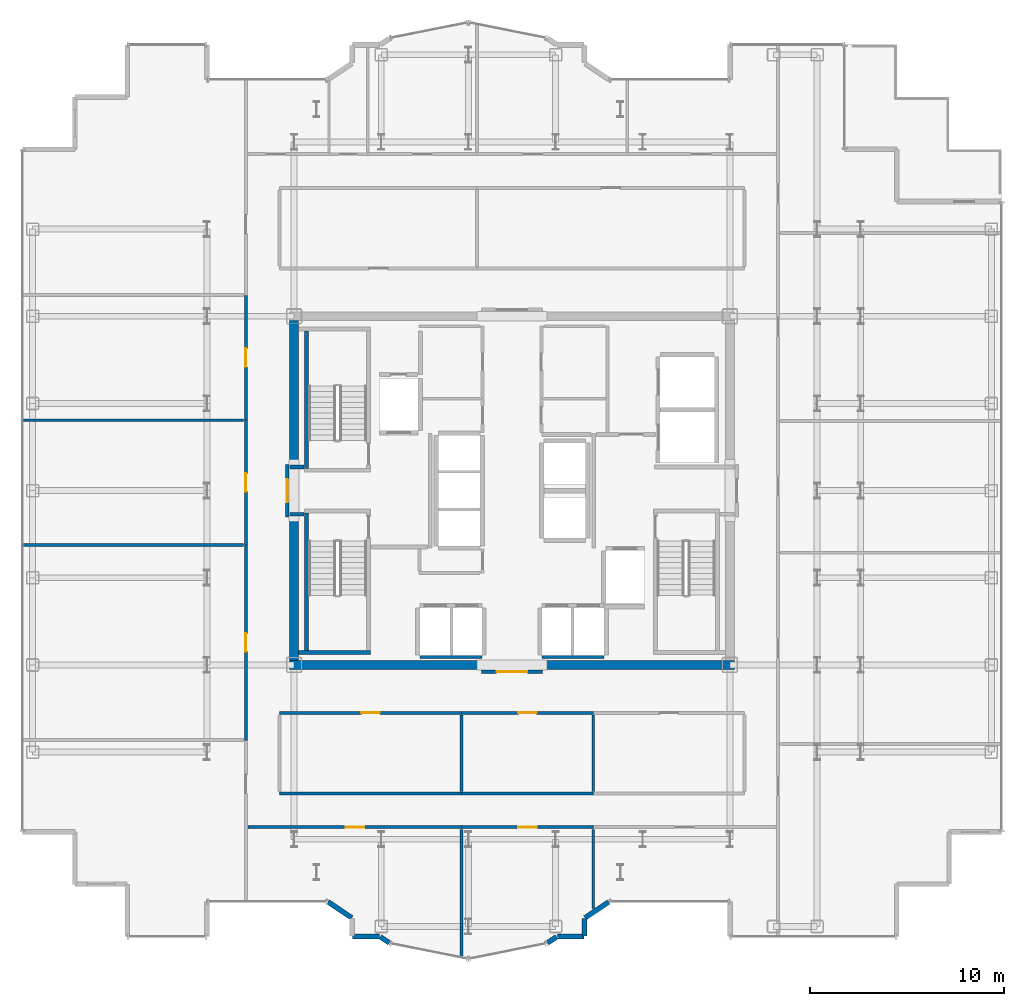
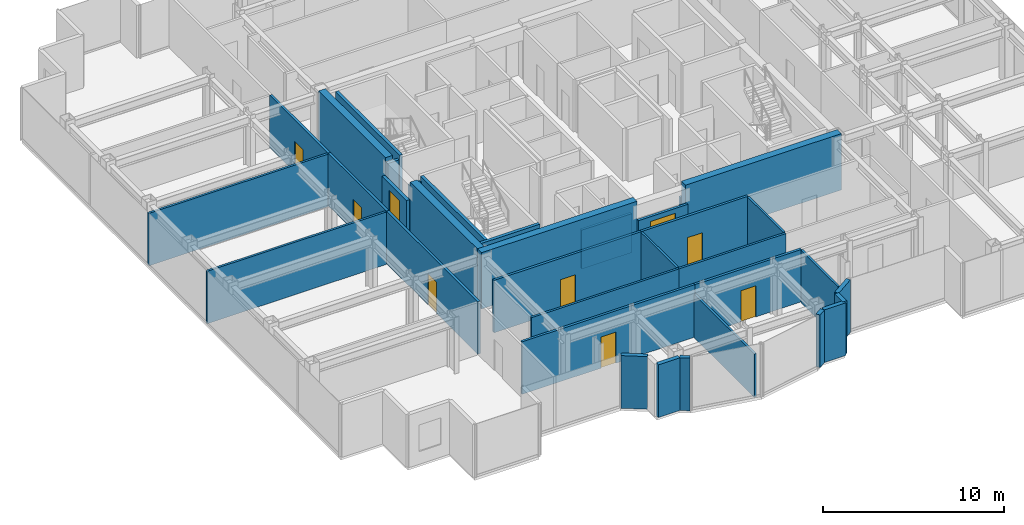
# One storey, part 14 of 20: 35 walls, 9 doors, 9 openings.
"""IFC4 building model written with IfcOpenShell, lengths in metres."""

from ifc_helpers import new_model, si_unit, direction, frame, frame_2d, origin, place, context, subcontext, project, spatial, rectangle, extrude, source, transform, mapped, material, layer, layer_set, type_object, element, fill, save


model = new_model("IFC4")

# Units and contexts
model_context = context("Model", 3, precision=1e-05, world=origin(), true_north=direction((0.0, 1.0)))
body_context = subcontext(model_context, "Body", "Model", "MODEL_VIEW")
ifc_project = project(units=[si_unit("LENGTHUNIT", "METRE"), si_unit("AREAUNIT", "SQUARE_METRE"), si_unit("VOLUMEUNIT", "CUBIC_METRE"), si_unit("PLANEANGLEUNIT", "RADIAN"), si_unit("MASSUNIT", "GRAM", prefix="KILO")], contexts=[model_context])

# Site, building, storey
site_placement = place(None, origin())
site = spatial("IfcSite", under=ifc_project, at=site_placement, CompositionType="ELEMENT")
building_placement = place(site_placement, origin())
building = spatial("IfcBuilding", under=site, at=building_placement, Name="Nefas-Gora Pilgrimage Tower", CompositionType="ELEMENT")
storey_placement = place(building_placement, frame((0.0, 0.0, 221.800048828125)))
storey = spatial("IfcBuildingStorey", under=building, at=storey_placement, Name="L55", CompositionType="ELEMENT", Elevation=221.800048828125)

# Walls
ifc_material_1 = material(Name="Concrete C50/60", Category="concrete")
ifc_layer_1 = layer(ifc_material_1, 0.449951171875)
ifc_layer_set_1 = layer_set([ifc_layer_1], Name="Concrete C50/60")
wall_type_1 = type_object("IfcWallType", Name="SW-CORE-450", PredefinedType="SHEAR", material=ifc_layer_set_1)
shared_shape_1 = source(origin(), body_context, "Body", "SweptSolid", [
    extrude(rectangle(XDim=9.925048828125, YDim=0.449951171875, at=frame_2d((4.96240234375, 0.0))), origin(), (0.0, 0.0, 1.0), 3.800048828125),
])
for number, where, z_axis, x_axis, name in (
    (1, (-11.47509765625, -9.0, 0.0), (0.0, 0.0, 1.0), (1.0, 0.0, 0.0), "L55 Core Shear Wall S-West"),
    (2, (1.550048828125, -9.0, 0.0), (0.0, 0.0, 1.0), (1.0, 0.0, 0.0), "L55 Core Shear Wall S-East"),
):
    element("IfcWall", number, at=place(storey_placement, frame(where, z_axis=z_axis, x_axis=x_axis)), inside=storey, type_object=wall_type_1, Name=name, PredefinedType="SHEAR", context=body_context, shape_type="MappedRepresentation", body=[
        mapped(shared_shape_1, transform((0.0, 0.0, 0.0), x_axis=(1.0, 0.0, 0.0), y_axis=(0.0, 1.0, 0.0), z_axis=(0.0, 0.0, 1.0), scale=1.0)),
    ])
shared_shape_2 = source(origin(), body_context, "Body", "SweptSolid", [
    extrude(rectangle(XDim=7.4248046875, YDim=0.449951171875, at=frame_2d((3.71240234375, 0.0))), origin(), (0.0, 0.0, 1.0), 3.800048828125),
])
for number, where, z_axis, x_axis, name in (
    (3, (-11.25, -8.77490234375, 0.0), (0.0, 0.0, 1.0), (0.0, 1.0, 0.0), "L55 Core Shear Wall W-South"),
    (4, (-11.25, 1.35009765625, 0.0), (0.0, 0.0, 1.0), (0.0, 1.0, 0.0), "L55 Core Shear Wall W-North"),
):
    element("IfcWall", number, at=place(storey_placement, frame(where, z_axis=z_axis, x_axis=x_axis)), inside=storey, type_object=wall_type_1, Name=name, PredefinedType="SHEAR", context=body_context, shape_type="MappedRepresentation", body=[
        mapped(shared_shape_2, transform((0.0, 0.0, 0.0), x_axis=(1.0, 0.0, 0.0), y_axis=(0.0, 1.0, 0.0), z_axis=(0.0, 0.0, 1.0), scale=1.0)),
    ])
ifc_material_2 = material(Name="Precast concrete C40/50", Category="concrete")
ifc_layer_2 = layer(ifc_material_2, 0.260009765625)
ifc_layer_set_2 = layer_set([ifc_layer_2], Name="Precast concrete C40/50")
wall_type_2 = type_object("IfcWallType", Name="EW-PORTAL-260", PredefinedType="SOLIDWALL", material=ifc_layer_set_2)
shared_shape_3 = source(origin(), body_context, "Body", "SweptSolid", [
    extrude(rectangle(XDim=1.468994140625, YDim=0.260009765625, at=frame_2d((0.734375, 0.0))), origin(), (0.0, 0.0, 1.0), 3.550048828125),
])
for number, where, z_axis, x_axis, name in (
    (5, (-9.49462890625, -21.235595703125, 0.0), (0.0, 0.0, 1.0), (0.831461760506, -0.555581983884, 0.0), "L55 Lobe Shoulder Precast Spandrel Pier 28"),
    (6, (3.773193359375, -22.0517578125, 0.0), (0.0, 0.0, 1.0), (0.831461760506, 0.555581983884, 0.0), "L55 Lobe Shoulder Precast Spandrel Pier 35"),
):
    element("IfcWall", number, at=place(storey_placement, frame(where, z_axis=z_axis, x_axis=x_axis)), inside=storey, type_object=wall_type_2, Name=name, PredefinedType="SOLIDWALL", context=body_context, shape_type="MappedRepresentation", body=[
        mapped(shared_shape_3, transform((0.0, 0.0, 0.0), x_axis=(1.0, 0.0, 0.0), y_axis=(0.0, 1.0, 0.0), z_axis=(0.0, 0.0, 1.0), scale=1.0)),
    ])
shared_shape_4 = source(origin(), body_context, "Body", "SweptSolid", [
    extrude(rectangle(XDim=0.896728515625, YDim=0.260009765625, at=frame_2d((0.4482421875, 0.0))), origin(), (0.0, 0.0, 1.0), 3.550048828125),
])
wall_1_placement = place(storey_placement, frame((3.75, -22.991943359375, 0.0), z_axis=(0.0, 0.0, 1.0), x_axis=(0.0, 1.0, 0.0)))
element("IfcWall", 7, at=wall_1_placement, inside=storey, type_object=wall_type_2, Name="L55 Lobe Shoulder Precast Spandrel Pier 34", PredefinedType="SOLIDWALL", context=body_context, shape_type="MappedRepresentation", body=[
    mapped(shared_shape_4, transform((0.0, 0.0, 0.0), x_axis=(1.0, 0.0, 0.0), y_axis=(0.0, 1.0, 0.0), z_axis=(0.0, 0.0, 1.0), scale=1.0)),
])
shared_shape_5 = source(origin(), body_context, "Body", "SweptSolid", [
    extrude(rectangle(XDim=1.369873046875, YDim=0.260009765625, at=frame_2d((0.68505859375, 0.0))), origin(), (0.0, 0.0, 1.0), 3.550048828125),
])
for number, where, z_axis, x_axis, name in (
    (8, (-8.221923828125, -23.02001953125, 0.0), (0.0, 0.0, 1.0), (1.0, 0.0, 0.0), "L55 Lobe Shoulder Precast Spandrel Pier 30"),
    (9, (2.35205078125, -23.02001953125, 0.0), (0.0, 0.0, 1.0), (1.0, 0.0, 0.0), "L55 Lobe Shoulder Precast Spandrel Pier 33"),
):
    element("IfcWall", number, at=place(storey_placement, frame(where, z_axis=z_axis, x_axis=x_axis)), inside=storey, type_object=wall_type_2, Name=name, PredefinedType="SOLIDWALL", context=body_context, shape_type="MappedRepresentation", body=[
        mapped(shared_shape_5, transform((0.0, 0.0, 0.0), x_axis=(1.0, 0.0, 0.0), y_axis=(0.0, 1.0, 0.0), z_axis=(0.0, 0.0, 1.0), scale=1.0)),
    ])
shared_shape_6 = source(origin(), body_context, "Body", "SweptSolid", [
    extrude(rectangle(XDim=0.5654296875, YDim=0.260009765625, at=frame_2d((0.28271484375, 0.0))), origin(), (0.0, 0.0, 1.0), 3.550048828125),
])
for number, where, z_axis, x_axis, name in (
    (10, (-6.80078125, -23.03564453125, 0.0), (0.0, 0.0, 1.0), (0.831651492666, -0.555297933317, 0.0), "L55 Lobe Shoulder Precast Spandrel Pier 31"),
    (11, (1.83056640625, -23.349609375, 0.0), (0.0, 0.0, 1.0), (0.831651492666, 0.555297933317, 0.0), "L55 Lobe Shoulder Precast Spandrel Pier 32"),
):
    element("IfcWall", number, at=place(storey_placement, frame(where, z_axis=z_axis, x_axis=x_axis)), inside=storey, type_object=wall_type_2, Name=name, PredefinedType="SOLIDWALL", context=body_context, shape_type="MappedRepresentation", body=[
        mapped(shared_shape_6, transform((0.0, 0.0, 0.0), x_axis=(1.0, 0.0, 0.0), y_axis=(0.0, 1.0, 0.0), z_axis=(0.0, 0.0, 1.0), scale=1.0)),
    ])
ifc_material_3 = material(Name="Concrete C45/55", Category="concrete")
ifc_layer_3 = layer(ifc_material_3, 0.199951171875)
ifc_layer_set_3 = layer_set([ifc_layer_3], Name="Concrete C45/55")
wall_type_3 = type_object("IfcWallType", Name="IW-STAIR-200", PredefinedType="SOLIDWALL", material=ifc_layer_set_3)
shared_shape_7 = source(origin(), body_context, "Body", "SweptSolid", [
    extrude(rectangle(XDim=7.10009765625, YDim=0.199951171875, at=frame_2d((3.550048828125, 0.0))), origin(), (0.0, 0.0, 1.0), 3.800048828125),
])
for number, where, z_axis, x_axis, name in (
    (12, (-10.60009765625, 1.14990234375, 0.0), (0.0, 0.0, 1.0), (0.0, 1.0, 0.0), "L55 Stairwell Shear Wall ST-01-right"),
    (13, (-10.60009765625, -1.14990234375, 0.0), (0.0, 0.0, 1.0), (0.0, -1.0, 0.0), "L55 Stairwell Shear Wall ST-03-left"),
):
    element("IfcWall", number, at=place(storey_placement, frame(where, z_axis=z_axis, x_axis=x_axis)), inside=storey, type_object=wall_type_3, Name=name, PredefinedType="SOLIDWALL", context=body_context, shape_type="MappedRepresentation", body=[
        mapped(shared_shape_7, transform((0.0, 0.0, 0.0), x_axis=(1.0, 0.0, 0.0), y_axis=(0.0, 1.0, 0.0), z_axis=(0.0, 0.0, 1.0), scale=1.0)),
    ])
shared_shape_8 = source(origin(), body_context, "Body", "SweptSolid", [
    extrude(rectangle(XDim=3.72998046875, YDim=0.199951171875, at=frame_2d((1.864990234375, 0.0))), origin(), (0.0, 0.0, 1.0), 3.800048828125),
])
wall_2_placement = place(storey_placement, frame((-11.030029296875, -8.35009765625, 0.0), z_axis=(0.0, 0.0, 1.0), x_axis=(1.0, 0.0, 0.0)))
element("IfcWall", 14, at=wall_2_placement, inside=storey, type_object=wall_type_3, Name="L55 Stairwell Shear Wall ST-03-far", PredefinedType="SOLIDWALL", context=body_context, shape_type="MappedRepresentation", body=[
    mapped(shared_shape_8, transform((0.0, 0.0, 0.0), x_axis=(1.0, 0.0, 0.0), y_axis=(0.0, 1.0, 0.0), z_axis=(0.0, 0.0, 1.0), scale=1.0)),
])
ifc_material_4 = material(Name="Gypsum acoustic stud partition")
ifc_layer_4 = layer(ifc_material_4, 0.159912109375)
ifc_layer_set_4 = layer_set([ifc_layer_4], Name="Gypsum acoustic stud partition")
wall_type_4 = type_object("IfcWallType", Name="IW-CORR-160", PredefinedType="PARTITIONING", material=ifc_layer_set_4)
shared_shape_9 = source(origin(), body_context, "Body", "SweptSolid", [
    extrude(rectangle(XDim=3.199951171875, YDim=0.159912109375, at=frame_2d((1.60009765625, 0.0))), origin(), (0.0, 0.0, 1.0), 2.625),
])
for number, where, z_axis, x_axis, name in (
    (15, (-4.75, -8.580078125, 0.0), (0.0, 0.0, 1.0), (1.0, 0.0, 0.0), "L55 Hoistway Wall PL2-W-S"),
    (16, (1.550048828125, -8.580078125, 0.0), (0.0, 0.0, 1.0), (1.0, 0.0, 0.0), "L55 Hoistway Wall PL2-E-S"),
):
    element("IfcWall", number, at=place(storey_placement, frame(where, z_axis=z_axis, x_axis=x_axis)), inside=storey, type_object=wall_type_4, Name=name, PredefinedType="PARTITIONING", context=body_context, shape_type="MappedRepresentation", body=[
        mapped(shared_shape_9, transform((0.0, 0.0, 0.0), x_axis=(1.0, 0.0, 0.0), y_axis=(0.0, 1.0, 0.0), z_axis=(0.0, 0.0, 1.0), scale=1.0)),
    ])
ifc_material_5 = material(Name="Gypsum fire-rated shaftwall")
ifc_layer_5 = layer(ifc_material_5, 0.199951171875)
ifc_layer_set_5 = layer_set([ifc_layer_5], Name="Gypsum fire-rated shaftwall")
wall_type_5 = type_object("IfcWallType", Name="IW-FFLOB-200", PredefinedType="PARTITIONING", material=ifc_layer_set_5)
shared_shape_10 = source(origin(), body_context, "Body", "SweptSolid", [
    extrude(rectangle(XDim=0.719970703125, YDim=0.199951171875, at=frame_2d((0.35986328125, 0.0))), origin(), (0.0, 0.0, 1.0), 3.534912109375),
])
for number, where, z_axis, x_axis, name in (
    (17, (-11.4599609375, 1.219970703125, 0.0), (0.0, 0.0, 1.0), (1.0, 0.0, 0.0), "L55 FF Lobby West Throat N Wall 7"),
    (18, (-11.4599609375, -1.219970703125, 0.0), (0.0, 0.0, 1.0), (1.0, 0.0, 0.0), "L55 FF Lobby West Throat S Wall 8"),
):
    element("IfcWall", number, at=place(storey_placement, frame(where, z_axis=z_axis, x_axis=x_axis)), inside=storey, type_object=wall_type_5, Name=name, PredefinedType="PARTITIONING", context=body_context, shape_type="MappedRepresentation", body=[
        mapped(shared_shape_10, transform((0.0, 0.0, 0.0), x_axis=(1.0, 0.0, 0.0), y_axis=(0.0, 1.0, 0.0), z_axis=(0.0, 0.0, 1.0), scale=1.0)),
    ])

# Wall, opening, door
shared_shape_11 = source(origin(), body_context, "Body", "SweptSolid", [
    extrude(rectangle(XDim=6.81005859375, YDim=0.159912109375, at=frame_2d((3.405029296875, 0.0))), origin(), (0.0, 0.0, 1.0), 3.534912109375),
])
wall_3_placement = place(storey_placement, frame((-2.60498046875, -17.3701171875, 0.0), z_axis=(0.0, 0.0, 1.0), x_axis=(1.0, 0.0, 0.0)))
wall_3 = element("IfcWall", 19, at=wall_3_placement, inside=storey, type_object=wall_type_4, Name="L55 Pilgrim Contemplative Lounge Partition Wall 69", PredefinedType="PARTITIONING", context=body_context, shape_type="MappedRepresentation", body=[
    mapped(shared_shape_11, transform((0.0, 0.0, 0.0), x_axis=(1.0, 0.0, 0.0), y_axis=(0.0, 1.0, 0.0), z_axis=(0.0, 0.0, 1.0), scale=1.0)),
])
opening_1_placement = place(wall_3_placement, frame((2.929931640625, 0.0, 0.0)))
opening_1 = element("IfcOpeningElement", 20, at=opening_1_placement, cuts=wall_3, Name="Opening ID-GR1", PredefinedType="OPENING", context=body_context, shape_type="SweptSolid", body=[
    extrude(rectangle(XDim=0.949951171875, YDim=2.10009765625, at=frame_2d((0.47509765625, 1.050048828125))), frame((0.0, 0.08984375, 0.0), z_axis=(0.0, -1.0, 0.0), x_axis=(1.0, 0.0, 0.0)), (0.0, 0.0, 1.0), 0.179931640625),
])
ifc_material_6 = material(Name="Solid core oak fire-rated guest entrance door")
door_type_1 = type_object("IfcDoorType", Name="DR-INT-GUEST-950", OperationType="NOTDEFINED", PredefinedType="DOOR", material=ifc_material_6)
shared_shape_12 = source(origin(), body_context, "Body", "SweptSolid", [
    extrude(rectangle(XDim=0.949951171875, YDim=2.10009765625, at=frame_2d((0.47509765625, 1.050048828125))), frame((0.0, 0.02490234375, 0.0), z_axis=(0.0, -1.0, 0.0), x_axis=(1.0, 0.0, 0.0)), (0.0, 0.0, 1.0), 0.050048828125),
])
door_1_placement = place(opening_1_placement, origin())
door_1 = element("IfcDoor", 21, at=door_1_placement, inside=storey, type_object=door_type_1, Name="L55 Pilgrim Contemplative Lounge Door 31", OperationType="SINGLE_SWING_LEFT", OverallHeight=2.10009765625, OverallWidth=0.949951171875, PredefinedType="DOOR", context=body_context, shape_type="MappedRepresentation", body=[
    mapped(shared_shape_12, transform((0.0, 0.0, 0.0), x_axis=(1.0, 0.0, 0.0), y_axis=(0.0, 1.0, 0.0), z_axis=(0.0, 0.0, 1.0), scale=1.0)),
])
fill(opening_1, door_1)

wall_4_placement = place(storey_placement, frame((-2.60498046875, -11.469970703125, 0.0), z_axis=(0.0, 0.0, 1.0), x_axis=(1.0, 0.0, 0.0)))
wall_4 = element("IfcWall", 22, at=wall_4_placement, inside=storey, type_object=wall_type_4, Name="L55 Pilgrim Contemplative Lounge Partition Wall 71", PredefinedType="PARTITIONING", context=body_context, shape_type="MappedRepresentation", body=[
    mapped(shared_shape_11, transform((0.0, 0.0, 0.0), x_axis=(1.0, 0.0, 0.0), y_axis=(0.0, 1.0, 0.0), z_axis=(0.0, 0.0, 1.0), scale=1.0)),
])
opening_2_placement = place(wall_4_placement, frame((2.929931640625, 0.0, 0.0)))
opening_2 = element("IfcOpeningElement", 23, at=opening_2_placement, cuts=wall_4, Name="Opening ID-GR1", PredefinedType="OPENING", context=body_context, shape_type="SweptSolid", body=[
    extrude(rectangle(XDim=0.949951171875, YDim=2.10009765625, at=frame_2d((0.47509765625, 1.050048828125))), frame((0.0, 0.08984375, 0.0), z_axis=(0.0, -1.0, 0.0), x_axis=(1.0, 0.0, 0.0)), (0.0, 0.0, 1.0), 0.179931640625),
])
door_2_placement = place(opening_2_placement, origin())
door_2 = element("IfcDoor", 24, at=door_2_placement, inside=storey, type_object=door_type_1, Name="L55 Pilgrim Contemplative Lounge Door 32", OperationType="SINGLE_SWING_RIGHT", OverallHeight=2.10009765625, OverallWidth=0.949951171875, PredefinedType="DOOR", context=body_context, shape_type="MappedRepresentation", body=[
    mapped(shared_shape_12, transform((0.0, 0.0, 0.0), x_axis=(1.0, 0.0, 0.0), y_axis=(0.0, 1.0, 0.0), z_axis=(0.0, 0.0, 1.0), scale=1.0)),
])
fill(opening_2, door_2)

# Walls
ifc_material_7 = material(Name="Gypsum twin-stud partition")
ifc_layer_6 = layer(ifc_material_7, 0.139892578125)
ifc_layer_set_6 = layer_set([ifc_layer_6], Name="Gypsum twin-stud partition")
wall_type_6 = type_object("IfcWallType", Name="IW-UNIT-140", PredefinedType="PARTITIONING", material=ifc_layer_set_6)
shared_shape_13 = source(origin(), body_context, "Body", "SweptSolid", [
    extrude(rectangle(XDim=11.429931640625, YDim=0.139892578125, at=frame_2d((5.71484375, 0.0))), origin(), (0.0, 0.0, 1.0), 3.534912109375),
])
for number, where, z_axis, x_axis, name in (
    (25, (-25.2900390625, -2.804931640625, 0.0), (0.0, 0.0, 1.0), (1.0, 0.0, 0.0), "L55 Pilgrim Floor Concierge Foyer Partition Wall 34"),
    (26, (-25.2900390625, 3.63134765625, 0.0), (0.0, 0.0, 1.0), (1.0, 0.0, 0.0), "L55 Pilgrim Tea and Beverage Pantry Partition Wall 39"),
):
    element("IfcWall", number, at=place(storey_placement, frame(where, z_axis=z_axis, x_axis=x_axis)), inside=storey, type_object=wall_type_6, Name=name, PredefinedType="PARTITIONING", context=body_context, shape_type="MappedRepresentation", body=[
        mapped(shared_shape_13, transform((0.0, 0.0, 0.0), x_axis=(1.0, 0.0, 0.0), y_axis=(0.0, 1.0, 0.0), z_axis=(0.0, 0.0, 1.0), scale=1.0)),
    ])
shared_shape_14 = source(origin(), body_context, "Body", "SweptSolid", [
    extrude(rectangle(XDim=3.929931640625, YDim=0.139892578125, at=frame_2d((1.96484375, 0.0))), origin(), (0.0, 0.0, 1.0), 3.534912109375),
])
for number, where, z_axis, x_axis, name in (
    (27, (-2.60498046875, -15.52001953125, 0.0), (0.0, 0.0, 1.0), (0.0, 1.0, 0.0), "L55 Scripture Reading Study Partition Wall 68"),
    (28, (4.195068359375, -15.52001953125, 0.0), (0.0, 0.0, 1.0), (0.0, 1.0, 0.0), "L55 Pilgrim Contemplative Lounge Partition Wall 73"),
):
    element("IfcWall", number, at=place(storey_placement, frame(where, z_axis=z_axis, x_axis=x_axis)), inside=storey, type_object=wall_type_6, Name=name, PredefinedType="PARTITIONING", context=body_context, shape_type="MappedRepresentation", body=[
        mapped(shared_shape_14, transform((0.0, 0.0, 0.0), x_axis=(1.0, 0.0, 0.0), y_axis=(0.0, 1.0, 0.0), z_axis=(0.0, 0.0, 1.0), scale=1.0)),
    ])

# Wall, opening, door
shared_shape_15 = source(origin(), body_context, "Body", "SweptSolid", [
    extrude(rectangle(XDim=2.7001953125, YDim=0.199951171875, at=frame_2d((1.35009765625, 0.0))), origin(), (0.0, 0.0, 1.0), 2.625),
])
wall_5_placement = place(storey_placement, frame((-11.60009765625, -1.35009765625, 0.0), z_axis=(0.0, 0.0, 1.0), x_axis=(0.0, 1.0, 0.0)))
wall_5 = element("IfcWall", 29, at=wall_5_placement, inside=storey, type_object=wall_type_5, Name="L55 FF Lobby West Portal Wall 4", PredefinedType="PARTITIONING", context=body_context, shape_type="MappedRepresentation", body=[
    mapped(shared_shape_15, transform((0.0, 0.0, 0.0), x_axis=(1.0, 0.0, 0.0), y_axis=(0.0, 1.0, 0.0), z_axis=(0.0, 0.0, 1.0), scale=1.0)),
])
opening_3_placement = place(wall_5_placement, frame((0.75, 0.0, 0.0)))
opening_3 = element("IfcOpeningElement", 30, at=opening_3_placement, cuts=wall_5, Name="Opening ID-FF1", PredefinedType="OPENING", context=body_context, shape_type="SweptSolid", body=[
    extrude(rectangle(XDim=1.199951171875, YDim=2.14990234375, at=frame_2d((0.60009765625, 1.074951171875))), frame((0.0, 0.10986328125, 0.0), z_axis=(0.0, -1.0, 0.0), x_axis=(1.0, 0.0, 0.0)), (0.0, 0.0, 1.0), 0.219970703125),
])
ifc_material_8 = material(Name="Smoke-sealed steel firefighting lobby door", Category="steel")
door_type_2 = type_object("IfcDoorType", Name="DR-INT-FFLOB-1200", OperationType="NOTDEFINED", PredefinedType="DOOR", material=ifc_material_8)
shared_shape_16 = source(origin(), body_context, "Body", "SweptSolid", [
    extrude(rectangle(XDim=1.199951171875, YDim=2.14990234375, at=frame_2d((0.60009765625, 1.074951171875))), frame((0.0, 0.02490234375, 0.0), z_axis=(0.0, -1.0, 0.0), x_axis=(1.0, 0.0, 0.0)), (0.0, 0.0, 1.0), 0.050048828125),
])
door_3_placement = place(opening_3_placement, origin())
door_3 = element("IfcDoor", 31, at=door_3_placement, inside=storey, type_object=door_type_2, Name="L55 FF Lobby West Portal Door 2", OperationType="SINGLE_SWING_RIGHT", OverallHeight=2.14990234375, OverallWidth=1.199951171875, PredefinedType="DOOR", context=body_context, shape_type="MappedRepresentation", body=[
    mapped(shared_shape_16, transform((0.0, 0.0, 0.0), x_axis=(1.0, 0.0, 0.0), y_axis=(0.0, 1.0, 0.0), z_axis=(0.0, 0.0, 1.0), scale=1.0)),
])
fill(opening_3, door_3)

shared_shape_17 = source(origin(), body_context, "Body", "SweptSolid", [
    extrude(rectangle(XDim=3.16015625, YDim=0.159912109375, at=frame_2d((1.580078125, 0.0))), origin(), (0.0, 0.0, 1.0), 2.625),
])
wall_6_placement = place(storey_placement, frame((-1.580078125, -9.35009765625, 0.0), z_axis=(0.0, 0.0, 1.0), x_axis=(1.0, 0.0, 0.0)))
wall_6 = element("IfcWall", 32, at=wall_6_placement, inside=storey, type_object=wall_type_4, Name="L55 Central Lift Lobby South Portal Wall 16", PredefinedType="PARTITIONING", context=body_context, shape_type="MappedRepresentation", body=[
    mapped(shared_shape_17, transform((0.0, 0.0, 0.0), x_axis=(1.0, 0.0, 0.0), y_axis=(0.0, 1.0, 0.0), z_axis=(0.0, 0.0, 1.0), scale=1.0)),
])
opening_4_placement = place(wall_6_placement, frame((0.780029296875, 0.0, 0.0)))
opening_4 = element("IfcOpeningElement", 33, at=opening_4_placement, cuts=wall_6, Name="Opening ID-HL1", PredefinedType="OPENING", context=body_context, shape_type="SweptSolid", body=[
    extrude(rectangle(XDim=1.60009765625, YDim=2.300048828125, at=frame_2d((0.800048828125, 1.14990234375))), frame((0.0, 0.08984375, 0.0), z_axis=(0.0, -1.0, 0.0), x_axis=(1.0, 0.0, 0.0)), (0.0, 0.0, 1.0), 0.179931640625),
])
ifc_material_9 = material(Name="Double acoustic timber assembly hall door", Category="wood")
door_type_3 = type_object("IfcDoorType", Name="DR-INT-HALL-1600", OperationType="DOUBLE_DOOR_SINGLE_SWING", PredefinedType="DOOR", material=ifc_material_9)
shared_shape_18 = source(origin(), body_context, "Body", "SweptSolid", [
    extrude(rectangle(XDim=1.60009765625, YDim=2.300048828125, at=frame_2d((0.800048828125, 1.14990234375))), frame((0.0, 0.02490234375, 0.0), z_axis=(0.0, -1.0, 0.0), x_axis=(1.0, 0.0, 0.0)), (0.0, 0.0, 1.0), 0.050048828125),
])
door_4_placement = place(opening_4_placement, origin())
door_4 = element("IfcDoor", 34, at=door_4_placement, inside=storey, type_object=door_type_3, Name="L55 Central Lift Lobby South Portal Door 6", OperationType="DOUBLE_DOOR_SINGLE_SWING", OverallHeight=2.300048828125, OverallWidth=1.60009765625, PredefinedType="DOOR", context=body_context, shape_type="MappedRepresentation", body=[
    mapped(shared_shape_18, transform((0.0, 0.0, 0.0), x_axis=(1.0, 0.0, 0.0), y_axis=(0.0, 1.0, 0.0), z_axis=(0.0, 0.0, 1.0), scale=1.0)),
])
fill(opening_4, door_4)

shared_shape_19 = source(origin(), body_context, "Body", "SweptSolid", [
    extrude(rectangle(XDim=10.092529296875, YDim=0.159912109375, at=frame_2d((5.04638671875, 0.0))), origin(), (0.0, 0.0, 1.0), 3.534912109375),
])
wall_7_placement = place(storey_placement, frame((-13.739990234375, -12.887451171875, 0.0), z_axis=(0.0, 0.0, 1.0), x_axis=(0.0, 1.0, 0.0)))
wall_7 = element("IfcWall", 35, at=wall_7_placement, inside=storey, type_object=wall_type_4, Name="L55 Pilgrim Floor Concierge Foyer Partition Wall 32", PredefinedType="PARTITIONING", context=body_context, shape_type="MappedRepresentation", body=[
    mapped(shared_shape_19, transform((0.0, 0.0, 0.0), x_axis=(1.0, 0.0, 0.0), y_axis=(0.0, 1.0, 0.0), z_axis=(0.0, 0.0, 1.0), scale=1.0)),
])
opening_5_placement = place(wall_7_placement, frame((4.5712890625, 0.0, 0.0)))
opening_5 = element("IfcOpeningElement", 36, at=opening_5_placement, cuts=wall_7, Name="Opening ID-GR1", PredefinedType="OPENING", context=body_context, shape_type="SweptSolid", body=[
    extrude(rectangle(XDim=0.949951171875, YDim=2.10009765625, at=frame_2d((0.47509765625, 1.050048828125))), frame((0.0, 0.08984375, 0.0), z_axis=(0.0, -1.0, 0.0), x_axis=(1.0, 0.0, 0.0)), (0.0, 0.0, 1.0), 0.179931640625),
])
door_5_placement = place(opening_5_placement, origin())
door_5 = element("IfcDoor", 37, at=door_5_placement, inside=storey, type_object=door_type_1, Name="L55 Pilgrim Floor Concierge Foyer Door 13", OperationType="SINGLE_SWING_LEFT", OverallHeight=2.10009765625, OverallWidth=0.949951171875, PredefinedType="DOOR", context=body_context, shape_type="MappedRepresentation", body=[
    mapped(shared_shape_12, transform((0.0, 0.0, 0.0), x_axis=(1.0, 0.0, 0.0), y_axis=(0.0, 1.0, 0.0), z_axis=(0.0, 0.0, 1.0), scale=1.0)),
])
fill(opening_5, door_5)

shared_shape_20 = source(origin(), body_context, "Body", "SweptSolid", [
    extrude(rectangle(XDim=6.4462890625, YDim=0.159912109375, at=frame_2d((3.22314453125, 0.0))), origin(), (0.0, 0.0, 1.0), 3.534912109375),
])
wall_8_placement = place(storey_placement, frame((-13.739990234375, -2.804931640625, 0.0), z_axis=(0.0, 0.0, 1.0), x_axis=(0.0, 1.0, 0.0)))
wall_8 = element("IfcWall", 38, at=wall_8_placement, inside=storey, type_object=wall_type_4, Name="L55 Pilgrim Tea and Beverage Pantry Partition Wall 38", PredefinedType="PARTITIONING", context=body_context, shape_type="MappedRepresentation", body=[
    mapped(shared_shape_20, transform((0.0, 0.0, 0.0), x_axis=(1.0, 0.0, 0.0), y_axis=(0.0, 1.0, 0.0), z_axis=(0.0, 0.0, 1.0), scale=1.0)),
])
opening_6_placement = place(wall_8_placement, frame((2.748291015625, 0.0, 0.0)))
opening_6 = element("IfcOpeningElement", 39, at=opening_6_placement, cuts=wall_8, Name="Opening ID-GR1", PredefinedType="OPENING", context=body_context, shape_type="SweptSolid", body=[
    extrude(rectangle(XDim=0.949951171875, YDim=2.10009765625, at=frame_2d((0.47509765625, 1.050048828125))), frame((0.0, 0.08984375, 0.0), z_axis=(0.0, -1.0, 0.0), x_axis=(1.0, 0.0, 0.0)), (0.0, 0.0, 1.0), 0.179931640625),
])
door_6_placement = place(opening_6_placement, origin())
door_6 = element("IfcDoor", 40, at=door_6_placement, inside=storey, type_object=door_type_1, Name="L55 Pilgrim Tea and Beverage Pantry Door 16", OperationType="SINGLE_SWING_RIGHT", OverallHeight=2.10009765625, OverallWidth=0.949951171875, PredefinedType="DOOR", context=body_context, shape_type="MappedRepresentation", body=[
    mapped(shared_shape_12, transform((0.0, 0.0, 0.0), x_axis=(1.0, 0.0, 0.0), y_axis=(0.0, 1.0, 0.0), z_axis=(0.0, 0.0, 1.0), scale=1.0)),
])
fill(opening_6, door_6)

shared_shape_21 = source(origin(), body_context, "Body", "SweptSolid", [
    extrude(rectangle(XDim=6.446044921875, YDim=0.159912109375, at=frame_2d((3.22314453125, 0.0))), origin(), (0.0, 0.0, 1.0), 3.534912109375),
])
wall_9_placement = place(storey_placement, frame((-13.739990234375, 3.641357421875, 0.0), z_axis=(0.0, 0.0, 1.0), x_axis=(0.0, 1.0, 0.0)))
wall_9 = element("IfcWall", 41, at=wall_9_placement, inside=storey, type_object=wall_type_4, Name="L55 Pilgrim Fellowship Seminar Room Partition Wall 40", PredefinedType="PARTITIONING", context=body_context, shape_type="MappedRepresentation", body=[
    mapped(shared_shape_21, transform((0.0, 0.0, 0.0), x_axis=(1.0, 0.0, 0.0), y_axis=(0.0, 1.0, 0.0), z_axis=(0.0, 0.0, 1.0), scale=1.0)),
])
opening_7_placement = place(wall_9_placement, frame((2.748046875, 0.0, 0.0)))
opening_7 = element("IfcOpeningElement", 42, at=opening_7_placement, cuts=wall_9, Name="Opening ID-GR1", PredefinedType="OPENING", context=body_context, shape_type="SweptSolid", body=[
    extrude(rectangle(XDim=0.949951171875, YDim=2.10009765625, at=frame_2d((0.47509765625, 1.050048828125))), frame((0.0, 0.08984375, 0.0), z_axis=(0.0, -1.0, 0.0), x_axis=(1.0, 0.0, 0.0)), (0.0, 0.0, 1.0), 0.179931640625),
])
door_7_placement = place(opening_7_placement, origin())
door_7 = element("IfcDoor", 43, at=door_7_placement, inside=storey, type_object=door_type_1, Name="L55 Pilgrim Fellowship Seminar Room Door 17", OperationType="SINGLE_SWING_LEFT", OverallHeight=2.10009765625, OverallWidth=0.949951171875, PredefinedType="DOOR", context=body_context, shape_type="MappedRepresentation", body=[
    mapped(shared_shape_12, transform((0.0, 0.0, 0.0), x_axis=(1.0, 0.0, 0.0), y_axis=(0.0, 1.0, 0.0), z_axis=(0.0, 0.0, 1.0), scale=1.0)),
])
fill(opening_7, door_7)

# Wall
shared_shape_22 = source(origin(), body_context, "Body", "SweptSolid", [
    extrude(rectangle(XDim=4.077880859375, YDim=0.139892578125, at=frame_2d((2.0390625, 0.0))), origin(), (0.0, 0.0, 1.0), 3.534912109375),
])
wall_10_placement = place(storey_placement, frame((4.195068359375, -21.56787109375, 0.0), z_axis=(0.0, 0.0, 1.0), x_axis=(0.0, 1.0, 0.0)))
element("IfcWall", 44, at=wall_10_placement, inside=storey, type_object=wall_type_6, Name="L55 Pilgrim Contemplative Lounge Partition Wall 70", PredefinedType="PARTITIONING", context=body_context, shape_type="MappedRepresentation", body=[
    mapped(shared_shape_22, transform((0.0, 0.0, 0.0), x_axis=(1.0, 0.0, 0.0), y_axis=(0.0, 1.0, 0.0), z_axis=(0.0, 0.0, 1.0), scale=1.0)),
])

# Wall, opening, door
shared_shape_23 = source(origin(), body_context, "Body", "SweptSolid", [
    extrude(rectangle(XDim=11.025146484375, YDim=0.159912109375, at=frame_2d((5.5126953125, 0.0))), origin(), (0.0, 0.0, 1.0), 3.534912109375),
])
wall_11_placement = place(storey_placement, frame((-13.6201171875, -17.3701171875, 0.0), z_axis=(0.0, 0.0, 1.0), x_axis=(1.0, 0.0, 0.0)))
wall_11 = element("IfcWall", 45, at=wall_11_placement, inside=storey, type_object=wall_type_4, Name="L55 Pilgrim Contemplative Lounge Partition Wall 63", PredefinedType="PARTITIONING", context=body_context, shape_type="MappedRepresentation", body=[
    mapped(shared_shape_23, transform((0.0, 0.0, 0.0), x_axis=(1.0, 0.0, 0.0), y_axis=(0.0, 1.0, 0.0), z_axis=(0.0, 0.0, 1.0), scale=1.0)),
])
opening_8_placement = place(wall_11_placement, frame((5.03759765625, 0.0, 0.0)))
opening_8 = element("IfcOpeningElement", 46, at=opening_8_placement, cuts=wall_11, Name="Opening ID-GR1", PredefinedType="OPENING", context=body_context, shape_type="SweptSolid", body=[
    extrude(rectangle(XDim=0.949951171875, YDim=2.10009765625, at=frame_2d((0.47509765625, 1.050048828125))), frame((0.0, 0.08984375, 0.0), z_axis=(0.0, -1.0, 0.0), x_axis=(1.0, 0.0, 0.0)), (0.0, 0.0, 1.0), 0.179931640625),
])
door_8_placement = place(opening_8_placement, origin())
door_8 = element("IfcDoor", 47, at=door_8_placement, inside=storey, type_object=door_type_1, Name="L55 Pilgrim Contemplative Lounge Door 29", OperationType="SINGLE_SWING_LEFT", OverallHeight=2.10009765625, OverallWidth=0.949951171875, PredefinedType="DOOR", context=body_context, shape_type="MappedRepresentation", body=[
    mapped(shared_shape_12, transform((0.0, 0.0, 0.0), x_axis=(1.0, 0.0, 0.0), y_axis=(0.0, 1.0, 0.0), z_axis=(0.0, 0.0, 1.0), scale=1.0)),
])
fill(opening_8, door_8)

# Wall
shared_shape_24 = source(origin(), body_context, "Body", "SweptSolid", [
    extrude(rectangle(XDim=6.634033203125, YDim=0.139892578125, at=frame_2d((3.31689453125, 0.0))), origin(), (0.0, 0.0, 1.0), 2.925048828125),
])
wall_12_placement = place(storey_placement, frame((-2.60498046875, -24.1240234375, 0.0), z_axis=(0.0, 0.0, 1.0), x_axis=(0.0, 1.0, 0.0)))
element("IfcWall", 48, at=wall_12_placement, inside=storey, type_object=wall_type_6, Name="L55 Pilgrim Contemplative Lounge Partition Wall 64", PredefinedType="PARTITIONING", context=body_context, shape_type="MappedRepresentation", body=[
    mapped(shared_shape_24, transform((0.0, 0.0, 0.0), x_axis=(1.0, 0.0, 0.0), y_axis=(0.0, 1.0, 0.0), z_axis=(0.0, 0.0, 1.0), scale=1.0)),
])

# Wall, opening, door
shared_shape_25 = source(origin(), body_context, "Body", "SweptSolid", [
    extrude(rectangle(XDim=9.4150390625, YDim=0.159912109375, at=frame_2d((4.70751953125, 0.0))), origin(), (0.0, 0.0, 1.0), 3.534912109375),
])
wall_13_placement = place(storey_placement, frame((-12.010009765625, -11.469970703125, 0.0), z_axis=(0.0, 0.0, 1.0), x_axis=(1.0, 0.0, 0.0)))
wall_13 = element("IfcWall", 49, at=wall_13_placement, inside=storey, type_object=wall_type_4, Name="L55 Scripture Reading Study Partition Wall 65", PredefinedType="PARTITIONING", context=body_context, shape_type="MappedRepresentation", body=[
    mapped(shared_shape_25, transform((0.0, 0.0, 0.0), x_axis=(1.0, 0.0, 0.0), y_axis=(0.0, 1.0, 0.0), z_axis=(0.0, 0.0, 1.0), scale=1.0)),
])
opening_9_placement = place(wall_13_placement, frame((4.232421875, 0.0, 0.0)))
opening_9 = element("IfcOpeningElement", 50, at=opening_9_placement, cuts=wall_13, Name="Opening ID-GR1", PredefinedType="OPENING", context=body_context, shape_type="SweptSolid", body=[
    extrude(rectangle(XDim=0.949951171875, YDim=2.10009765625, at=frame_2d((0.47509765625, 1.050048828125))), frame((0.0, 0.08984375, 0.0), z_axis=(0.0, -1.0, 0.0), x_axis=(1.0, 0.0, 0.0)), (0.0, 0.0, 1.0), 0.179931640625),
])
door_9_placement = place(opening_9_placement, origin())
door_9 = element("IfcDoor", 51, at=door_9_placement, inside=storey, type_object=door_type_1, Name="L55 Scripture Reading Study Door 30", OperationType="SINGLE_SWING_RIGHT", OverallHeight=2.10009765625, OverallWidth=0.949951171875, PredefinedType="DOOR", context=body_context, shape_type="MappedRepresentation", body=[
    mapped(shared_shape_12, transform((0.0, 0.0, 0.0), x_axis=(1.0, 0.0, 0.0), y_axis=(0.0, 1.0, 0.0), z_axis=(0.0, 0.0, 1.0), scale=1.0)),
])
fill(opening_9, door_9)

# Walls
shared_shape_26 = source(origin(), body_context, "Body", "SweptSolid", [
    extrude(rectangle(XDim=9.4150390625, YDim=0.139892578125, at=frame_2d((4.70751953125, 0.0))), origin(), (0.0, 0.0, 1.0), 3.534912109375),
])
wall_14_placement = place(storey_placement, frame((-12.010009765625, -15.6298828125, 0.0), z_axis=(0.0, 0.0, 1.0), x_axis=(1.0, 0.0, 0.0)))
element("IfcWall", 52, at=wall_14_placement, inside=storey, type_object=wall_type_6, Name="L55 Scripture Reading Study Partition Wall 66", PredefinedType="PARTITIONING", context=body_context, shape_type="MappedRepresentation", body=[
    mapped(shared_shape_26, transform((0.0, 0.0, 0.0), x_axis=(1.0, 0.0, 0.0), y_axis=(0.0, 1.0, 0.0), z_axis=(0.0, 0.0, 1.0), scale=1.0)),
])
shared_shape_27 = source(origin(), body_context, "Body", "SweptSolid", [
    extrude(rectangle(XDim=6.81005859375, YDim=0.139892578125, at=frame_2d((3.405029296875, 0.0))), origin(), (0.0, 0.0, 1.0), 3.534912109375),
])
wall_15_placement = place(storey_placement, frame((-2.60498046875, -15.6298828125, 0.0), z_axis=(0.0, 0.0, 1.0), x_axis=(1.0, 0.0, 0.0)))
element("IfcWall", 53, at=wall_15_placement, inside=storey, type_object=wall_type_6, Name="L55 Pilgrim Contemplative Lounge Partition Wall 72", PredefinedType="PARTITIONING", context=body_context, shape_type="MappedRepresentation", body=[
    mapped(shared_shape_27, transform((0.0, 0.0, 0.0), x_axis=(1.0, 0.0, 0.0), y_axis=(0.0, 1.0, 0.0), z_axis=(0.0, 0.0, 1.0), scale=1.0)),
])

save(model, "model.ifc")
